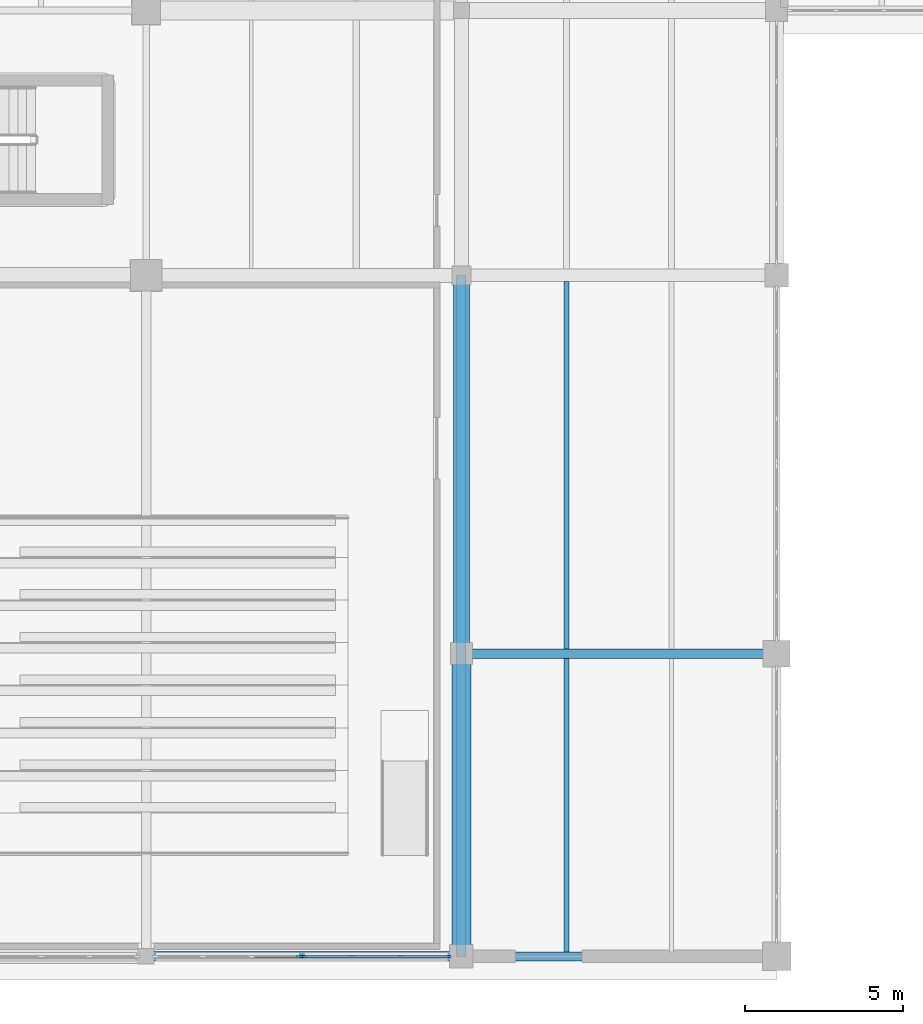
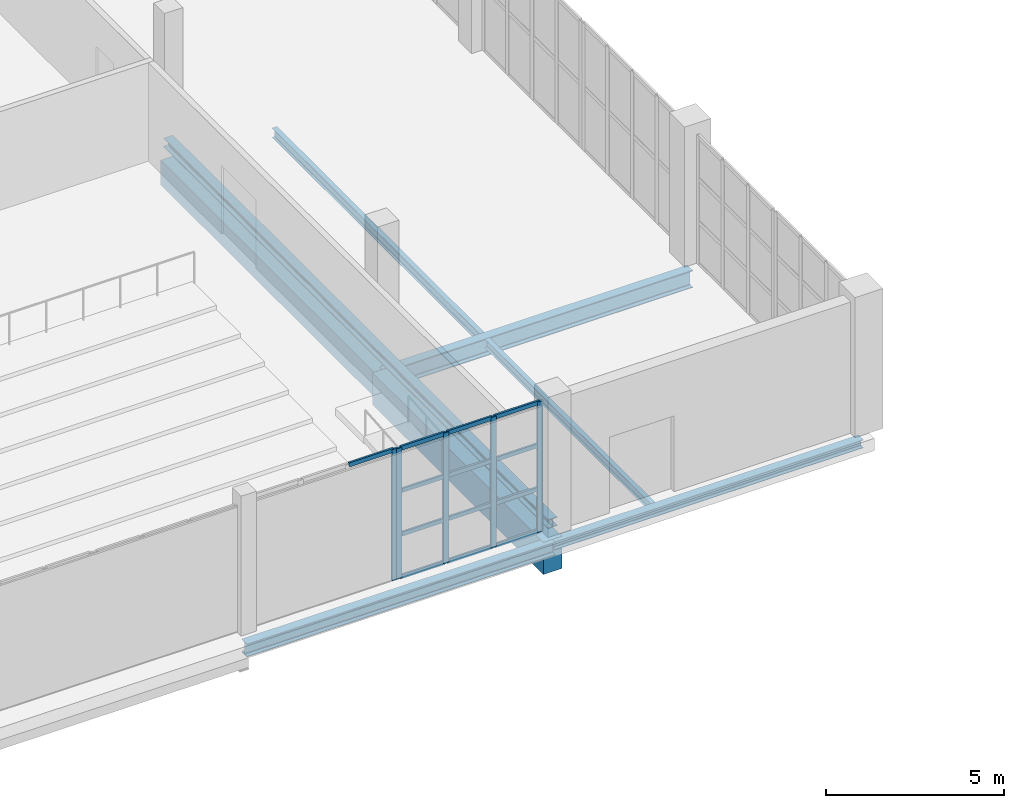
# One storey, part 60 of 121: 18 members, 8 beams, 2 elements without a shape of their own.
"""IFC4 building model written with IfcOpenShell, lengths in metres."""

import ifcopenshell
import ifcopenshell.guid

model = None  # the IFC model being written
_history = None  # IfcOwnerHistory: only IFC2X3 demands one
_inside = {}  # id of a spatial element -> (the spatial element, [elements in it])
_under = {}  # id of a project, library or spatial element -> (it, [spatial elements below it])
_declared = {}  # id of a project -> (the project, [libraries it declares])
_typed = {}  # id of a type object -> (the type object, [elements of that type])
_made_of = {}  # id of a material, layer set ... -> (it, [elements and type objects made of it])


def new_model(schema):
    """Start an empty IFC model of exactly this schema.

    Asked for "IFC4X3", IfcOpenShell would pick the latest addendum, in which some entities
    have other attributes; the version numbers below select the first issue.
    IFC2X3 requires an IfcOwnerHistory on every rooted entity: one is made here for all.
    """
    global model, _history
    if schema == "IFC4X3":
        model = ifcopenshell.file(schema_version=(4, 3, 0, 0))
    else:
        model = ifcopenshell.file(schema=schema)
    _inside.clear()
    _under.clear()
    _declared.clear()
    _typed.clear()
    _made_of.clear()
    _history = None
    if model.schema == "IFC2X3":
        org = make("IfcOrganization", Name="unknown")
        user = make(
            "IfcPersonAndOrganization",
            ThePerson=make("IfcPerson", FamilyName="unknown"),
            TheOrganization=org,
        )
        app = make(
            "IfcApplication",
            ApplicationDeveloper=org,
            Version="unknown",
            ApplicationFullName="unknown",
            ApplicationIdentifier="unknown",
        )
        _history = make(
            "IfcOwnerHistory",
            OwningUser=user,
            OwningApplication=app,
            ChangeAction="ADDED",
            CreationDate=0,
        )
    return model


def make(cls, **values):
    """One entity of the class cls with the attributes given. An attribute that is None is left unset."""
    return model.create_entity(
        cls, **{name: value for name, value in values.items() if value is not None}
    )


def rooted(cls, **values):
    """An entity with a GlobalId (a new one), such as an element, a storey or a relation."""
    return make(cls, GlobalId=ifcopenshell.guid.new(), OwnerHistory=_history, **values)


def si_unit(unit_type, name, prefix=None):
    """IfcSIUnit, for example si_unit("LENGTHUNIT", "METRE", prefix="MILLI")."""
    return make("IfcSIUnit", UnitType=unit_type, Prefix=prefix, Name=name)


def assignment(units):
    """IfcUnitAssignment: the units of a project."""
    return None if units is None else make("IfcUnitAssignment", Units=units)


def point(xyz):
    """IfcCartesianPoint."""
    return None if xyz is None else make("IfcCartesianPoint", Coordinates=xyz)


def direction(xyz):
    """IfcDirection."""
    return None if xyz is None else make("IfcDirection", DirectionRatios=xyz)


def frame(location, z_axis=None, x_axis=None):
    """IfcAxis2Placement3D, a coordinate frame: its origin and axes. An axis left out is left unset."""
    return make(
        "IfcAxis2Placement3D",
        Location=point(location),
        Axis=direction(z_axis),
        RefDirection=direction(x_axis),
    )


def frame_2d(location, x_axis=None):
    """IfcAxis2Placement2D, a coordinate frame in the plane: its origin and x axis."""
    return make(
        "IfcAxis2Placement2D", Location=point(location), RefDirection=direction(x_axis)
    )


def origin():
    """The frame at (0, 0, 0) with its axes left unset."""
    return frame((0.0, 0.0, 0.0))


def origin_2d():
    """The frame at (0, 0) in the plane with its x axis left unset."""
    return frame_2d((0.0, 0.0))


def place(relative_to, where):
    """IfcLocalPlacement: puts the frame where relative to a parent placement (None: the world)."""
    return make(
        "IfcLocalPlacement", PlacementRelTo=relative_to, RelativePlacement=where
    )


def context(
    kind, dimensions, precision=None, world=None, true_north=None, identifier=None
):
    """IfcGeometricRepresentationContext, for example the 3D "Model" context."""
    return make(
        "IfcGeometricRepresentationContext",
        ContextIdentifier=identifier,
        ContextType=kind,
        CoordinateSpaceDimension=dimensions,
        Precision=precision,
        WorldCoordinateSystem=world,
        TrueNorth=true_north,
    )


def subcontext(parent, identifier, kind, view, scale=None):
    """IfcGeometricRepresentationSubContext, for example "Body" below "Model"."""
    return make(
        "IfcGeometricRepresentationSubContext",
        ContextIdentifier=identifier,
        ContextType=kind,
        ParentContext=parent,
        TargetScale=scale,
        TargetView=view,
    )


def project(units=None, contexts=None):
    """IfcProject with its units and contexts."""
    return rooted(
        "IfcProject",
        Name="project",
        RepresentationContexts=contexts,
        UnitsInContext=assignment(units),
    )


def spatial(cls, under=None, at=None, **own):
    """A site, building, storey or space (cls), placed at a placement, below another one or the project."""
    s = rooted(cls, ObjectPlacement=at, **own)
    if under is not None:
        _under.setdefault(under.id(), (under, []))[1].append(s)
    return s


def profile(cls, at=None, kind="AREA", **sizes):
    """A parametric profile (cls). Its sizes go by their IFC names, for example OverallWidth=200.0."""
    return make(cls, ProfileType=kind, Position=at, **sizes)


def rectangle(**sizes):
    """IfcRectangleProfileDef."""
    return profile("IfcRectangleProfileDef", **sizes)


def i_section(**sizes):
    """IfcIShapeProfileDef."""
    return profile("IfcIShapeProfileDef", **sizes)


def extrude(swept, where, along, depth):
    """IfcExtrudedAreaSolid: the profile swept, set in the frame where, extruded along a direction by depth."""
    return make(
        "IfcExtrudedAreaSolid",
        SweptArea=swept,
        Position=where,
        ExtrudedDirection=direction(along),
        Depth=depth,
    )


def shape(context_of_items, identifier, shape_type, items):
    """IfcShapeRepresentation: the items that make up one representation, for example the "Body"."""
    return make(
        "IfcShapeRepresentation",
        ContextOfItems=context_of_items,
        RepresentationIdentifier=identifier,
        RepresentationType=shape_type,
        Items=items,
    )


def material(Name=None, Category=None):
    """IfcMaterial."""
    return make("IfcMaterial", Name=Name, Category=Category)


def layer(
    of_material, thickness, ventilated=None, Name=None, Category=None, Priority=None
):
    """IfcMaterialLayer: one layer of a wall or slab, of a material (None: an air gap)."""
    return make(
        "IfcMaterialLayer",
        Material=of_material,
        LayerThickness=thickness,
        IsVentilated=ventilated,
        Name=Name,
        Category=Category,
        Priority=Priority,
    )


def layer_set(layers, Name=None):
    """IfcMaterialLayerSet."""
    return make("IfcMaterialLayerSet", MaterialLayers=layers, LayerSetName=Name)


def material_profile(
    of_material, cross_section, Name=None, Category=None, Priority=None
):
    """IfcMaterialProfile: a cross section and its material."""
    return make(
        "IfcMaterialProfile",
        Name=Name,
        Material=of_material,
        Profile=cross_section,
        Priority=Priority,
        Category=Category,
    )


def profile_set(profiles, Name=None, composite=None):
    """IfcMaterialProfileSet."""
    return make(
        "IfcMaterialProfileSet",
        Name=Name,
        MaterialProfiles=profiles,
        CompositeProfile=composite,
    )


def made_of(thing, what):
    """Note that an element or type object is made of a material, layer set ...; save() writes the relation."""
    if what is not None:
        _made_of.setdefault(what.id(), (what, []))[1].append(thing)
    return thing


def type_object(cls, material=None, **own):
    """A type object (cls), such as IfcWallType, which elements share."""
    return made_of(rooted(cls, **own), material)


def element(
    cls,
    number,
    at=None,
    inside=None,
    cuts=None,
    type_object=None,
    material=None,
    context=None,
    identifier="Body",
    shape_type=None,
    held_by="IfcProductDefinitionShape",
    body=None,
    shapes=None,
    **own,
):
    """One element of the class cls, such as IfcWall. Its Tag is "e" and its number.

    at: its placement. inside: the storey or other place that contains it. cuts: it is an
    opening in that element (IfcRelVoidsElement). A single representation is given by context,
    identifier, shape_type and body (its items); several are given by shapes. held_by: the class
    of the entity that holds the representations. save() writes the other relations.
    """
    e = rooted(cls, Tag="e%d" % number, ObjectPlacement=at, **own)
    if body is not None:
        shapes = [shape(context, identifier, shape_type, body)]
    if shapes is not None:
        e.Representation = make(held_by, Representations=shapes)
    if inside is not None:
        _inside.setdefault(inside.id(), (inside, []))[1].append(e)
    if cuts is not None:
        rooted(
            "IfcRelVoidsElement", RelatingBuildingElement=cuts, RelatedOpeningElement=e
        )
    if type_object is not None:
        _typed.setdefault(type_object.id(), (type_object, []))[1].append(e)
    return made_of(e, material)


def aggregate(whole, parts):
    """IfcRelAggregates: a whole, such as a stair, and the parts it consists of."""
    return rooted("IfcRelAggregates", RelatingObject=whole, RelatedObjects=parts)


def save(model, path):
    """Write the relations noted so far, then the file.

    IfcRelAggregates (storeys below a building ...), IfcRelContainedInSpatialStructure (elements
    in a storey), IfcRelDefinesByType, IfcRelAssociatesMaterial and IfcRelDeclares: one each for
    every whole, place, type object, material and project.
    """
    for whole, parts in _under.values():
        aggregate(whole, parts)
    for where, things in _inside.values():
        rooted(
            "IfcRelContainedInSpatialStructure",
            RelatedElements=things,
            RelatingStructure=where,
        )
    for kind, things in _typed.values():
        rooted("IfcRelDefinesByType", RelatedObjects=things, RelatingType=kind)
    for what, things in _made_of.values():
        rooted("IfcRelAssociatesMaterial", RelatedObjects=things, RelatingMaterial=what)
    for by, libraries in _declared.values():
        rooted("IfcRelDeclares", RelatingContext=by, RelatedDefinitions=libraries)
    model.write(path)


model = new_model("IFC4")

# Units and contexts
model_context = context("Model", 3, precision=1e-05, world=origin(), true_north=direction((0.0, 1.0)))
body_context = subcontext(model_context, "Body", "Model", "MODEL_VIEW")
ifc_project = project(units=[si_unit("LENGTHUNIT", "METRE"), si_unit("AREAUNIT", "SQUARE_METRE"), si_unit("VOLUMEUNIT", "CUBIC_METRE"), si_unit("PLANEANGLEUNIT", "RADIAN"), si_unit("MASSUNIT", "GRAM", prefix="KILO")], contexts=[model_context])

# Site, building, storey
site_placement = place(None, origin())
site = spatial("IfcSite", under=ifc_project, at=site_placement, CompositionType="ELEMENT")
building_placement = place(site_placement, origin())
building = spatial("IfcBuilding", under=site, at=building_placement, Name="Zereglee Splitstone Museum", CompositionType="ELEMENT")
storey_placement = place(building_placement, origin())
storey = spatial("IfcBuildingStorey", under=building, at=storey_placement, Name="L00", CompositionType="ELEMENT", Elevation=0.0)

# Beams
ifc_material_1 = material(Name="Concrete C40/50", Category="concrete")
ifc_material_profile_1 = material_profile(ifc_material_1, rectangle(XDim=0.5, YDim=0.85009765625, at=origin_2d()), Name="RC 500x850")
ifc_profile_set_1 = profile_set([ifc_material_profile_1], Name="Concrete C40/50")
beam_type_1 = type_object("IfcBeamType", Name="BG-02", PredefinedType="BEAM", material=ifc_profile_set_1)
beam_1_placement = place(storey_placement, frame((286.0, 9.60009765625, -0.844970703125), z_axis=(0.0, 1.0, 0.0), x_axis=(-1.0, 0.0, 0.0)))
element("IfcBeam", 1, at=beam_1_placement, inside=storey, type_object=beam_type_1, Name="Primary Girder L00 32 (9.6-21.6)", PredefinedType="BEAM", context=body_context, shape_type="SweptSolid", body=[
    extrude(rectangle(XDim=0.5, YDim=0.85009765625, at=origin_2d()), origin(), (0.0, 0.0, 1.0), 12.0),
])
ifc_material_profile_2 = material_profile(ifc_material_1, rectangle(XDim=0.60009765625, YDim=1.10009765625, at=origin_2d()), Name="RC 600x1100")
ifc_profile_set_2 = profile_set([ifc_material_profile_2], Name="Concrete C40/50")
beam_type_2 = type_object("IfcBeamType", Name="BG-01", PredefinedType="BEAM", material=ifc_profile_set_2)
beam_2_placement = place(storey_placement, frame((286.0, 0.0, -0.969970703125), z_axis=(0.0, 1.0, 0.0), x_axis=(-1.0, 0.0, 0.0)))
element("IfcBeam", 2, at=beam_2_placement, inside=storey, type_object=beam_type_2, Name="Primary Girder L00 32 (0.0-9.6)", PredefinedType="BEAM", context=body_context, shape_type="SweptSolid", body=[
    extrude(rectangle(XDim=0.60009765625, YDim=1.10009765625, at=origin_2d()), origin(), (0.0, 0.0, 1.0), 9.60009765625),
])

# Curtain wall, member
ifc_material_2 = material(Name="Triple-glazed low-E argon glass and bronze-anodised aluminium", Category="aluminium")
ifc_layer_1 = layer(ifc_material_2, 0.179931640625)
ifc_layer_set_1 = layer_set([ifc_layer_1], Name="Triple-glazed low-E argon glass and bronze-anodised aluminium")
curtain_wall_type_1 = type_object("IfcCurtainWallType", Name="CW-0464-450", PredefinedType="USERDEFINED", material=ifc_layer_set_1)
curtain_wall_1_placement = place(storey_placement, origin())
curtain_wall_1 = element("IfcCurtainWall", 3, at=curtain_wall_1_placement, inside=storey, type_object=curtain_wall_type_1, Name="Glazed Curtain Wall CW-0464-450 (L00)", ObjectType="GLAZED CURTAIN WALL", PredefinedType="USERDEFINED")
ifc_material_3 = material(Name="Thermally broken bronze-anodised aluminium", Category="aluminium")
ifc_material_profile_3 = material_profile(ifc_material_3, rectangle(XDim=0.06494140625, YDim=0.179931640625, at=origin_2d()), Name="CW MULL 65x180")
ifc_profile_set_3 = profile_set([ifc_material_profile_3], Name="Thermally broken bronze-anodised aluminium")
member_type_1 = type_object("IfcMemberType", Name="CWM-01", PredefinedType="MULLION", material=ifc_profile_set_3)
member_1_placement = place(storey_placement, frame((280.864990234375, 0.0, 0.0), z_axis=(0.0, 0.0, 1.0), x_axis=(0.0, 1.0, 0.0)))
member_1 = element("IfcMember", 4, at=member_1_placement, type_object=member_type_1, Name="CW-0464-450 mullion 4", PredefinedType="MULLION", context=body_context, shape_type="SweptSolid", body=[
    extrude(rectangle(XDim=0.06494140625, YDim=0.179931640625, at=origin_2d()), origin(), (0.0, 0.0, 1.0), 4.5),
])

# Curtain wall, members
ifc_layer_2 = layer(ifc_material_2, 0.179931640625)
ifc_layer_set_2 = layer_set([ifc_layer_2], Name="Triple-glazed low-E argon glass and bronze-anodised aluminium")
curtain_wall_type_2 = type_object("IfcCurtainWallType", Name="CW-0464-448", PredefinedType="USERDEFINED", material=ifc_layer_set_2)
curtain_wall_2_placement = place(storey_placement, origin())
curtain_wall_2 = element("IfcCurtainWall", 5, at=curtain_wall_2_placement, inside=storey, type_object=curtain_wall_type_2, Name="Glazed Curtain Wall CW-0464-448 (L00)", ObjectType="GLAZED CURTAIN WALL", PredefinedType="USERDEFINED")
member_2_placement = place(storey_placement, frame((281.010009765625, 0.0, 0.0), z_axis=(0.0, 0.0, 1.0), x_axis=(0.0, 1.0, 0.0)))
member_2 = element("IfcMember", 6, at=member_2_placement, type_object=member_type_1, Name="CW-0464-448 mullion 1", PredefinedType="MULLION", context=body_context, shape_type="SweptSolid", body=[
    extrude(rectangle(XDim=0.06494140625, YDim=0.179931640625, at=origin_2d()), origin(), (0.0, 0.0, 1.0), 4.47998046875),
])
member_3_placement = place(storey_placement, frame((282.52392578125, 0.0, 0.0), z_axis=(0.0, 0.0, 1.0), x_axis=(0.0, 1.0, 0.0)))
member_3 = element("IfcMember", 7, at=member_3_placement, type_object=member_type_1, Name="CW-0464-448 mullion 2", PredefinedType="MULLION", context=body_context, shape_type="SweptSolid", body=[
    extrude(rectangle(XDim=0.06494140625, YDim=0.179931640625, at=origin_2d()), origin(), (0.0, 0.0, 1.0), 4.47998046875),
])
member_4_placement = place(storey_placement, frame((284.070556640625, 0.0, 0.0), z_axis=(0.0, 0.0, 1.0), x_axis=(0.0, 1.0, 0.0)))
member_4 = element("IfcMember", 8, at=member_4_placement, type_object=member_type_1, Name="CW-0464-448 mullion 3", PredefinedType="MULLION", context=body_context, shape_type="SweptSolid", body=[
    extrude(rectangle(XDim=0.06494140625, YDim=0.179931640625, at=origin_2d()), origin(), (0.0, 0.0, 1.0), 4.47998046875),
])
member_5_placement = place(storey_placement, frame((285.58447265625, 0.0, 0.0), z_axis=(0.0, 0.0, 1.0), x_axis=(0.0, 1.0, 0.0)))
member_5 = element("IfcMember", 9, at=member_5_placement, type_object=member_type_1, Name="CW-0464-448 mullion 4", PredefinedType="MULLION", context=body_context, shape_type="SweptSolid", body=[
    extrude(rectangle(XDim=0.06494140625, YDim=0.179931640625, at=origin_2d()), origin(), (0.0, 0.0, 1.0), 4.47998046875),
])

# Member
ifc_material_profile_4 = material_profile(ifc_material_3, rectangle(XDim=0.06494140625, YDim=0.139892578125, at=origin_2d()), Name="CW TRAN 65x140")
ifc_profile_set_4 = profile_set([ifc_material_profile_4], Name="Thermally broken bronze-anodised aluminium")
member_type_2 = type_object("IfcMemberType", Name="CWT-01", PredefinedType="USERDEFINED", material=ifc_profile_set_4)
member_6_placement = place(storey_placement, frame((279.383544921875, 0.0, 4.467529296875), z_axis=(1.0, 0.0, 0.0), x_axis=(0.0, 1.0, 0.0)))
member_6 = element("IfcMember", 10, at=member_6_placement, type_object=member_type_2, Name="CW-0464-450 transom 3.4", ObjectType="TRANSOM", PredefinedType="USERDEFINED", context=body_context, shape_type="SweptSolid", body=[
    extrude(rectangle(XDim=0.06494140625, YDim=0.139892578125, at=origin_2d()), origin(), (0.0, 0.0, 1.0), 1.448974609375),
])

aggregate(curtain_wall_1, [member_1, member_6])

member_7_placement = place(storey_placement, frame((281.04248046875, 0.0, 0.032470703125), z_axis=(1.0, 0.0, 0.0), x_axis=(0.0, 1.0, 0.0)))
member_7 = element("IfcMember", 11, at=member_7_placement, type_object=member_type_2, Name="CW-0464-448 transom 1.1", ObjectType="TRANSOM", PredefinedType="USERDEFINED", context=body_context, shape_type="SweptSolid", body=[
    extrude(rectangle(XDim=0.06494140625, YDim=0.139892578125, at=origin_2d()), origin(), (0.0, 0.0, 1.0), 1.448974609375),
])

member_8_placement = place(storey_placement, frame((281.04248046875, 0.0, 1.493408203125), z_axis=(1.0, 0.0, 0.0), x_axis=(0.0, 1.0, 0.0)))
member_8 = element("IfcMember", 12, at=member_8_placement, type_object=member_type_2, Name="CW-0464-448 transom 1.2", ObjectType="TRANSOM", PredefinedType="USERDEFINED", context=body_context, shape_type="SweptSolid", body=[
    extrude(rectangle(XDim=0.06494140625, YDim=0.139892578125, at=origin_2d()), origin(), (0.0, 0.0, 1.0), 1.448974609375),
])

member_9_placement = place(storey_placement, frame((281.04248046875, 0.0, 2.98681640625), z_axis=(1.0, 0.0, 0.0), x_axis=(0.0, 1.0, 0.0)))
member_9 = element("IfcMember", 13, at=member_9_placement, type_object=member_type_2, Name="CW-0464-448 transom 1.3", ObjectType="TRANSOM", PredefinedType="USERDEFINED", context=body_context, shape_type="SweptSolid", body=[
    extrude(rectangle(XDim=0.06494140625, YDim=0.139892578125, at=origin_2d()), origin(), (0.0, 0.0, 1.0), 1.448974609375),
])

member_10_placement = place(storey_placement, frame((281.04248046875, 0.0, 4.447509765625), z_axis=(1.0, 0.0, 0.0), x_axis=(0.0, 1.0, 0.0)))
member_10 = element("IfcMember", 14, at=member_10_placement, type_object=member_type_2, Name="CW-0464-448 transom 1.4", ObjectType="TRANSOM", PredefinedType="USERDEFINED", context=body_context, shape_type="SweptSolid", body=[
    extrude(rectangle(XDim=0.06494140625, YDim=0.139892578125, at=origin_2d()), origin(), (0.0, 0.0, 1.0), 1.448974609375),
])

member_11_placement = place(storey_placement, frame((282.556396484375, 0.0, 0.032470703125), z_axis=(1.0, 0.0, 0.0), x_axis=(0.0, 1.0, 0.0)))
member_11 = element("IfcMember", 15, at=member_11_placement, type_object=member_type_2, Name="CW-0464-448 transom 2.1", ObjectType="TRANSOM", PredefinedType="USERDEFINED", context=body_context, shape_type="SweptSolid", body=[
    extrude(rectangle(XDim=0.06494140625, YDim=0.139892578125, at=origin_2d()), origin(), (0.0, 0.0, 1.0), 1.481689453125),
])

member_12_placement = place(storey_placement, frame((282.556396484375, 0.0, 1.493408203125), z_axis=(1.0, 0.0, 0.0), x_axis=(0.0, 1.0, 0.0)))
member_12 = element("IfcMember", 16, at=member_12_placement, type_object=member_type_2, Name="CW-0464-448 transom 2.2", ObjectType="TRANSOM", PredefinedType="USERDEFINED", context=body_context, shape_type="SweptSolid", body=[
    extrude(rectangle(XDim=0.06494140625, YDim=0.139892578125, at=origin_2d()), origin(), (0.0, 0.0, 1.0), 1.481689453125),
])

member_13_placement = place(storey_placement, frame((282.556396484375, 0.0, 2.98681640625), z_axis=(1.0, 0.0, 0.0), x_axis=(0.0, 1.0, 0.0)))
member_13 = element("IfcMember", 17, at=member_13_placement, type_object=member_type_2, Name="CW-0464-448 transom 2.3", ObjectType="TRANSOM", PredefinedType="USERDEFINED", context=body_context, shape_type="SweptSolid", body=[
    extrude(rectangle(XDim=0.06494140625, YDim=0.139892578125, at=origin_2d()), origin(), (0.0, 0.0, 1.0), 1.481689453125),
])

member_14_placement = place(storey_placement, frame((282.556396484375, 0.0, 4.447509765625), z_axis=(1.0, 0.0, 0.0), x_axis=(0.0, 1.0, 0.0)))
member_14 = element("IfcMember", 18, at=member_14_placement, type_object=member_type_2, Name="CW-0464-448 transom 2.4", ObjectType="TRANSOM", PredefinedType="USERDEFINED", context=body_context, shape_type="SweptSolid", body=[
    extrude(rectangle(XDim=0.06494140625, YDim=0.139892578125, at=origin_2d()), origin(), (0.0, 0.0, 1.0), 1.481689453125),
])

member_15_placement = place(storey_placement, frame((284.10302734375, 0.0, 0.032470703125), z_axis=(1.0, 0.0, 0.0), x_axis=(0.0, 1.0, 0.0)))
member_15 = element("IfcMember", 19, at=member_15_placement, type_object=member_type_2, Name="CW-0464-448 transom 3.1", ObjectType="TRANSOM", PredefinedType="USERDEFINED", context=body_context, shape_type="SweptSolid", body=[
    extrude(rectangle(XDim=0.06494140625, YDim=0.139892578125, at=origin_2d()), origin(), (0.0, 0.0, 1.0), 1.448974609375),
])

member_16_placement = place(storey_placement, frame((284.10302734375, 0.0, 1.493408203125), z_axis=(1.0, 0.0, 0.0), x_axis=(0.0, 1.0, 0.0)))
member_16 = element("IfcMember", 20, at=member_16_placement, type_object=member_type_2, Name="CW-0464-448 transom 3.2", ObjectType="TRANSOM", PredefinedType="USERDEFINED", context=body_context, shape_type="SweptSolid", body=[
    extrude(rectangle(XDim=0.06494140625, YDim=0.139892578125, at=origin_2d()), origin(), (0.0, 0.0, 1.0), 1.448974609375),
])

member_17_placement = place(storey_placement, frame((284.10302734375, 0.0, 2.98681640625), z_axis=(1.0, 0.0, 0.0), x_axis=(0.0, 1.0, 0.0)))
member_17 = element("IfcMember", 21, at=member_17_placement, type_object=member_type_2, Name="CW-0464-448 transom 3.3", ObjectType="TRANSOM", PredefinedType="USERDEFINED", context=body_context, shape_type="SweptSolid", body=[
    extrude(rectangle(XDim=0.06494140625, YDim=0.139892578125, at=origin_2d()), origin(), (0.0, 0.0, 1.0), 1.448974609375),
])

member_18_placement = place(storey_placement, frame((284.10302734375, 0.0, 4.447509765625), z_axis=(1.0, 0.0, 0.0), x_axis=(0.0, 1.0, 0.0)))
member_18 = element("IfcMember", 22, at=member_18_placement, type_object=member_type_2, Name="CW-0464-448 transom 3.4", ObjectType="TRANSOM", PredefinedType="USERDEFINED", context=body_context, shape_type="SweptSolid", body=[
    extrude(rectangle(XDim=0.06494140625, YDim=0.139892578125, at=origin_2d()), origin(), (0.0, 0.0, 1.0), 1.448974609375),
])

aggregate(curtain_wall_2, [member_2, member_3, member_4, member_5, member_7, member_8, member_9, member_10, member_11, member_12, member_13, member_14, member_15, member_16, member_17, member_18])

# Beams
ifc_material_4 = material(Name="Steel S355J2", Category="steel")
ifc_material_profile_5 = material_profile(ifc_material_4, i_section(OverallWidth=0.300048828125, OverallDepth=0.60009765625, WebThickness=0.015380859375, FlangeThickness=0.030029296875, FilletRadius=0.027099609375, at=origin_2d()), Name="HE 600 B")
ifc_profile_set_5 = profile_set([ifc_material_profile_5], Name="Steel S355J2")
beam_type_3 = type_object("IfcBeamType", Name="BG-10", PredefinedType="BEAM", material=ifc_profile_set_5)
beam_3_placement = place(storey_placement, frame((286.0, 9.60009765625, -0.719970703125), z_axis=(1.0, 0.0, 0.0), x_axis=(0.0, 1.0, 0.0)))
element("IfcBeam", 23, at=beam_3_placement, inside=storey, type_object=beam_type_3, Name="Primary Girder L00 B (286.0-296.0)", PredefinedType="BEAM", context=body_context, shape_type="SweptSolid", body=[
    extrude(i_section(OverallWidth=0.300048828125, OverallDepth=0.60009765625, WebThickness=0.015380859375, FlangeThickness=0.030029296875, FilletRadius=0.027099609375, at=origin_2d()), origin(), (0.0, 0.0, 1.0), 10.0),
])
ifc_material_profile_6 = material_profile(ifc_material_4, i_section(OverallWidth=0.14990234375, OverallDepth=0.300048828125, WebThickness=0.007080078125, FlangeThickness=0.0107421875, FilletRadius=0.014892578125, at=origin_2d()), Name="IPE 300")
ifc_profile_set_6 = profile_set([ifc_material_profile_6], Name="Steel S355J2")
beam_type_4 = type_object("IfcBeamType", Name="BJ-06", PredefinedType="JOIST", material=ifc_profile_set_6)
beam_4_placement = place(storey_placement, frame((289.333251953125, 0.139892578125, -0.570068359375), z_axis=(0.0, 1.0, 0.0), x_axis=(-1.0, 0.0, 0.0)))
element("IfcBeam", 24, at=beam_4_placement, inside=storey, type_object=beam_type_4, Name="Secondary Floor Joist L00-0271", PredefinedType="JOIST", context=body_context, shape_type="SweptSolid", body=[
    extrude(i_section(OverallWidth=0.14990234375, OverallDepth=0.300048828125, WebThickness=0.007080078125, FlangeThickness=0.0107421875, FilletRadius=0.014892578125, at=origin_2d()), origin(), (0.0, 0.0, 1.0), 9.31005859375),
])
ifc_material_profile_7 = material_profile(ifc_material_4, i_section(OverallWidth=0.159912109375, OverallDepth=0.330078125, WebThickness=0.007568359375, FlangeThickness=0.011474609375, FilletRadius=0.01806640625, at=origin_2d()), Name="IPE 330")
ifc_profile_set_7 = profile_set([ifc_material_profile_7], Name="Steel S355J2")
beam_type_5 = type_object("IfcBeamType", Name="BJ-05", PredefinedType="JOIST", material=ifc_profile_set_7)
beam_5_placement = place(storey_placement, frame((289.333251953125, 9.75, -0.5849609375), z_axis=(0.0, 1.0, 0.0), x_axis=(-1.0, 0.0, 0.0)))
element("IfcBeam", 25, at=beam_5_placement, inside=storey, type_object=beam_type_5, Name="Secondary Floor Joist L00-0305", PredefinedType="JOIST", context=body_context, shape_type="SweptSolid", body=[
    extrude(i_section(OverallWidth=0.159912109375, OverallDepth=0.330078125, WebThickness=0.007568359375, FlangeThickness=0.011474609375, FilletRadius=0.01806640625, at=origin_2d()), origin(), (0.0, 0.0, 1.0), 11.64990234375),
])
ifc_material_profile_8 = material_profile(ifc_material_4, i_section(OverallWidth=0.300048828125, OverallDepth=0.300048828125, WebThickness=0.010986328125, FlangeThickness=0.01904296875, FilletRadius=0.027099609375, at=origin_2d()), Name="HE 300 B")
ifc_profile_set_8 = profile_set([ifc_material_profile_8], Name="Steel S355J2")
beam_type_6 = type_object("IfcBeamType", Name="BR-01", PredefinedType="BEAM", material=ifc_profile_set_8)
beam_6_placement = place(storey_placement, frame((286.0, 0.0, 0.14990234375), z_axis=(0.0, 1.0, 0.0), x_axis=(-1.0, 0.0, 0.0)))
element("IfcBeam", 26, at=beam_6_placement, inside=storey, type_object=beam_type_6, Name="Auditorium RAKER Beam 286", PredefinedType="BEAM", context=body_context, shape_type="SweptSolid", body=[
    extrude(i_section(OverallWidth=0.300048828125, OverallDepth=0.300048828125, WebThickness=0.010986328125, FlangeThickness=0.01904296875, FilletRadius=0.027099609375, at=origin_2d()), origin(), (0.0, 0.0, 1.0), 21.60009765625),
])
ifc_material_profile_9 = material_profile(ifc_material_4, i_section(OverallWidth=0.280029296875, OverallDepth=0.280029296875, WebThickness=0.010498046875, FlangeThickness=0.01806640625, FilletRadius=0.02392578125, at=origin_2d()), Name="HE 280 B")
ifc_profile_set_9 = profile_set([ifc_material_profile_9], Name="Steel S355J2")
beam_type_7 = type_object("IfcBeamType", Name="SP-03", PredefinedType="SPANDREL", material=ifc_profile_set_9)
beam_7_placement = place(storey_placement, frame((286.0, 0.0, -0.56005859375), z_axis=(1.0, 0.0, 0.0), x_axis=(0.0, 1.0, 0.0)))
element("IfcBeam", 27, at=beam_7_placement, inside=storey, type_object=beam_type_7, Name="Primary Girder L00 A (286.0-296.0)", PredefinedType="SPANDREL", context=body_context, shape_type="SweptSolid", body=[
    extrude(i_section(OverallWidth=0.280029296875, OverallDepth=0.280029296875, WebThickness=0.010498046875, FlangeThickness=0.01806640625, FilletRadius=0.02392578125, at=origin_2d()), origin(), (0.0, 0.0, 1.0), 10.0),
])
ifc_material_profile_10 = material_profile(ifc_material_4, i_section(OverallWidth=0.300048828125, OverallDepth=0.449951171875, WebThickness=0.013916015625, FlangeThickness=0.02587890625, FilletRadius=0.027099609375, at=origin_2d()), Name="HE 450 B")
ifc_profile_set_10 = profile_set([ifc_material_profile_10], Name="Steel S355J2")
beam_type_8 = type_object("IfcBeamType", Name="SP-02", PredefinedType="SPANDREL", material=ifc_profile_set_10)
beam_8_placement = place(storey_placement, frame((276.0, 0.0, -0.64501953125), z_axis=(1.0, 0.0, 0.0), x_axis=(0.0, 1.0, 0.0)))
element("IfcBeam", 28, at=beam_8_placement, inside=storey, type_object=beam_type_8, Name="Primary Girder L00 A (276.0-286.0)", PredefinedType="SPANDREL", context=body_context, shape_type="SweptSolid", body=[
    extrude(i_section(OverallWidth=0.300048828125, OverallDepth=0.449951171875, WebThickness=0.013916015625, FlangeThickness=0.02587890625, FilletRadius=0.027099609375, at=origin_2d()), origin(), (0.0, 0.0, 1.0), 10.0),
])

save(model, "model.ifc")
